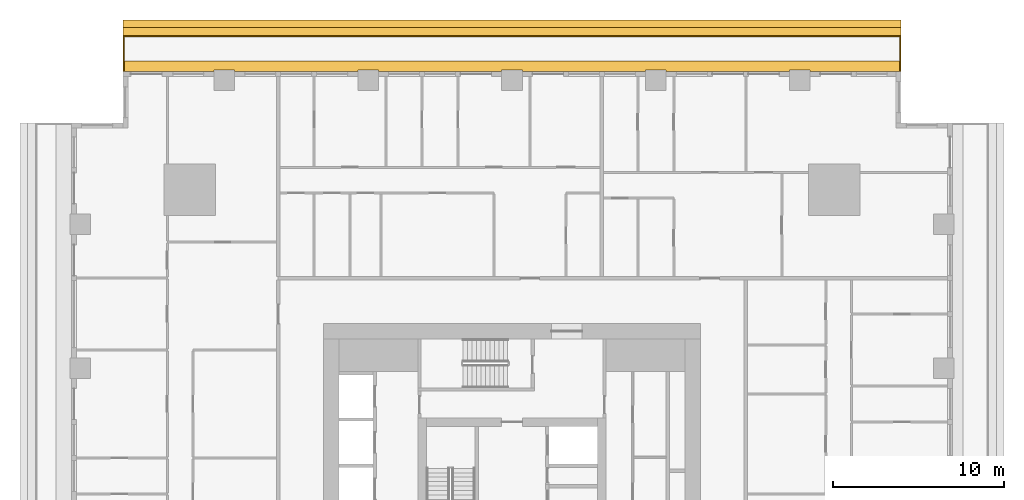
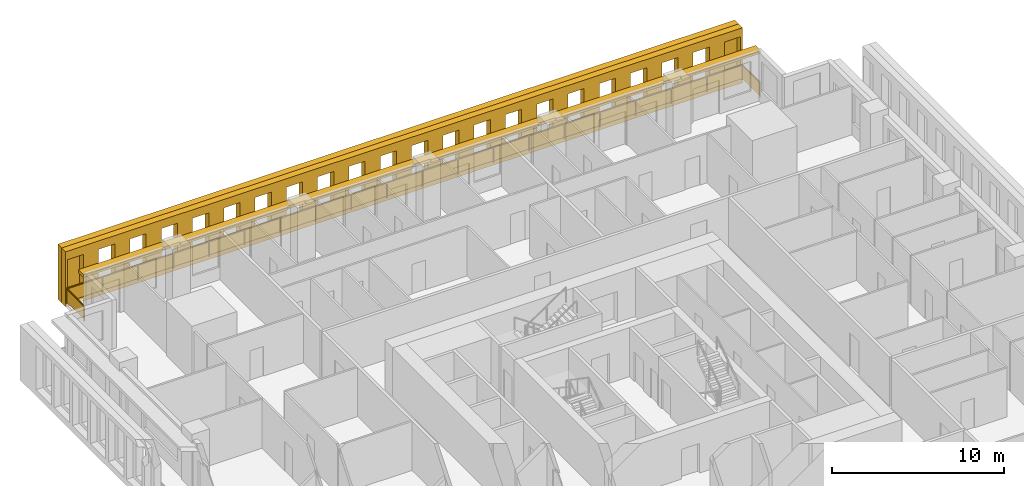
# One storey, part 15 of 15: 3 shading devices, 1 railing.
"""IFC4 building model written with IfcOpenShell, lengths in metres."""

import ifcopenshell
import ifcopenshell.guid

model = None  # the IFC model being written
_history = None  # IfcOwnerHistory: only IFC2X3 demands one
_inside = {}  # id of a spatial element -> (the spatial element, [elements in it])
_under = {}  # id of a project, library or spatial element -> (it, [spatial elements below it])
_declared = {}  # id of a project -> (the project, [libraries it declares])
_typed = {}  # id of a type object -> (the type object, [elements of that type])
_made_of = {}  # id of a material, layer set ... -> (it, [elements and type objects made of it])


def new_model(schema):
    """Start an empty IFC model of exactly this schema.

    Asked for "IFC4X3", IfcOpenShell would pick the latest addendum, in which some entities
    have other attributes; the version numbers below select the first issue.
    IFC2X3 requires an IfcOwnerHistory on every rooted entity: one is made here for all.
    """
    global model, _history
    if schema == "IFC4X3":
        model = ifcopenshell.file(schema_version=(4, 3, 0, 0))
    else:
        model = ifcopenshell.file(schema=schema)
    _inside.clear()
    _under.clear()
    _declared.clear()
    _typed.clear()
    _made_of.clear()
    _history = None
    if model.schema == "IFC2X3":
        org = make("IfcOrganization", Name="unknown")
        user = make(
            "IfcPersonAndOrganization",
            ThePerson=make("IfcPerson", FamilyName="unknown"),
            TheOrganization=org,
        )
        app = make(
            "IfcApplication",
            ApplicationDeveloper=org,
            Version="unknown",
            ApplicationFullName="unknown",
            ApplicationIdentifier="unknown",
        )
        _history = make(
            "IfcOwnerHistory",
            OwningUser=user,
            OwningApplication=app,
            ChangeAction="ADDED",
            CreationDate=0,
        )
    return model


def make(cls, **values):
    """One entity of the class cls with the attributes given. An attribute that is None is left unset."""
    return model.create_entity(
        cls, **{name: value for name, value in values.items() if value is not None}
    )


def rooted(cls, **values):
    """An entity with a GlobalId (a new one), such as an element, a storey or a relation."""
    return make(cls, GlobalId=ifcopenshell.guid.new(), OwnerHistory=_history, **values)


def si_unit(unit_type, name, prefix=None):
    """IfcSIUnit, for example si_unit("LENGTHUNIT", "METRE", prefix="MILLI")."""
    return make("IfcSIUnit", UnitType=unit_type, Prefix=prefix, Name=name)


def assignment(units):
    """IfcUnitAssignment: the units of a project."""
    return None if units is None else make("IfcUnitAssignment", Units=units)


def point(xyz):
    """IfcCartesianPoint."""
    return None if xyz is None else make("IfcCartesianPoint", Coordinates=xyz)


def direction(xyz):
    """IfcDirection."""
    return None if xyz is None else make("IfcDirection", DirectionRatios=xyz)


def frame(location, z_axis=None, x_axis=None):
    """IfcAxis2Placement3D, a coordinate frame: its origin and axes. An axis left out is left unset."""
    return make(
        "IfcAxis2Placement3D",
        Location=point(location),
        Axis=direction(z_axis),
        RefDirection=direction(x_axis),
    )


def frame_2d(location, x_axis=None):
    """IfcAxis2Placement2D, a coordinate frame in the plane: its origin and x axis."""
    return make(
        "IfcAxis2Placement2D", Location=point(location), RefDirection=direction(x_axis)
    )


def origin():
    """The frame at (0, 0, 0) with its axes left unset."""
    return frame((0.0, 0.0, 0.0))


def origin_2d():
    """The frame at (0, 0) in the plane with its x axis left unset."""
    return frame_2d((0.0, 0.0))


def place(relative_to, where):
    """IfcLocalPlacement: puts the frame where relative to a parent placement (None: the world)."""
    return make(
        "IfcLocalPlacement", PlacementRelTo=relative_to, RelativePlacement=where
    )


def context(
    kind, dimensions, precision=None, world=None, true_north=None, identifier=None
):
    """IfcGeometricRepresentationContext, for example the 3D "Model" context."""
    return make(
        "IfcGeometricRepresentationContext",
        ContextIdentifier=identifier,
        ContextType=kind,
        CoordinateSpaceDimension=dimensions,
        Precision=precision,
        WorldCoordinateSystem=world,
        TrueNorth=true_north,
    )


def subcontext(parent, identifier, kind, view, scale=None):
    """IfcGeometricRepresentationSubContext, for example "Body" below "Model"."""
    return make(
        "IfcGeometricRepresentationSubContext",
        ContextIdentifier=identifier,
        ContextType=kind,
        ParentContext=parent,
        TargetScale=scale,
        TargetView=view,
    )


def project(units=None, contexts=None):
    """IfcProject with its units and contexts."""
    return rooted(
        "IfcProject",
        Name="project",
        RepresentationContexts=contexts,
        UnitsInContext=assignment(units),
    )


def spatial(cls, under=None, at=None, **own):
    """A site, building, storey or space (cls), placed at a placement, below another one or the project."""
    s = rooted(cls, ObjectPlacement=at, **own)
    if under is not None:
        _under.setdefault(under.id(), (under, []))[1].append(s)
    return s


def polyline(points):
    """IfcPolyline through the points."""
    return make("IfcPolyline", Points=[point(p) for p in points])


def profile(cls, at=None, kind="AREA", **sizes):
    """A parametric profile (cls). Its sizes go by their IFC names, for example OverallWidth=200.0."""
    return make(cls, ProfileType=kind, Position=at, **sizes)


def rectangle(**sizes):
    """IfcRectangleProfileDef."""
    return profile("IfcRectangleProfileDef", **sizes)


def outline(outer, holes=None, kind="AREA"):
    """IfcArbitraryClosedProfileDef: a profile drawn as a closed curve; with holes, ...WithVoids."""
    if holes is None:
        return make("IfcArbitraryClosedProfileDef", ProfileType=kind, OuterCurve=outer)
    return make(
        "IfcArbitraryProfileDefWithVoids",
        ProfileType=kind,
        OuterCurve=outer,
        InnerCurves=holes,
    )


def extrude(swept, where, along, depth):
    """IfcExtrudedAreaSolid: the profile swept, set in the frame where, extruded along a direction by depth."""
    return make(
        "IfcExtrudedAreaSolid",
        SweptArea=swept,
        Position=where,
        ExtrudedDirection=direction(along),
        Depth=depth,
    )


def shape(context_of_items, identifier, shape_type, items):
    """IfcShapeRepresentation: the items that make up one representation, for example the "Body"."""
    return make(
        "IfcShapeRepresentation",
        ContextOfItems=context_of_items,
        RepresentationIdentifier=identifier,
        RepresentationType=shape_type,
        Items=items,
    )


def material(Name=None, Category=None):
    """IfcMaterial."""
    return make("IfcMaterial", Name=Name, Category=Category)


def layer(
    of_material, thickness, ventilated=None, Name=None, Category=None, Priority=None
):
    """IfcMaterialLayer: one layer of a wall or slab, of a material (None: an air gap)."""
    return make(
        "IfcMaterialLayer",
        Material=of_material,
        LayerThickness=thickness,
        IsVentilated=ventilated,
        Name=Name,
        Category=Category,
        Priority=Priority,
    )


def layer_set(layers, Name=None):
    """IfcMaterialLayerSet."""
    return make("IfcMaterialLayerSet", MaterialLayers=layers, LayerSetName=Name)


def made_of(thing, what):
    """Note that an element or type object is made of a material, layer set ...; save() writes the relation."""
    if what is not None:
        _made_of.setdefault(what.id(), (what, []))[1].append(thing)
    return thing


def type_object(cls, material=None, **own):
    """A type object (cls), such as IfcWallType, which elements share."""
    return made_of(rooted(cls, **own), material)


def element(
    cls,
    number,
    at=None,
    inside=None,
    cuts=None,
    type_object=None,
    material=None,
    context=None,
    identifier="Body",
    shape_type=None,
    held_by="IfcProductDefinitionShape",
    body=None,
    shapes=None,
    **own,
):
    """One element of the class cls, such as IfcWall. Its Tag is "e" and its number.

    at: its placement. inside: the storey or other place that contains it. cuts: it is an
    opening in that element (IfcRelVoidsElement). A single representation is given by context,
    identifier, shape_type and body (its items); several are given by shapes. held_by: the class
    of the entity that holds the representations. save() writes the other relations.
    """
    e = rooted(cls, Tag="e%d" % number, ObjectPlacement=at, **own)
    if body is not None:
        shapes = [shape(context, identifier, shape_type, body)]
    if shapes is not None:
        e.Representation = make(held_by, Representations=shapes)
    if inside is not None:
        _inside.setdefault(inside.id(), (inside, []))[1].append(e)
    if cuts is not None:
        rooted(
            "IfcRelVoidsElement", RelatingBuildingElement=cuts, RelatedOpeningElement=e
        )
    if type_object is not None:
        _typed.setdefault(type_object.id(), (type_object, []))[1].append(e)
    return made_of(e, material)


def aggregate(whole, parts):
    """IfcRelAggregates: a whole, such as a stair, and the parts it consists of."""
    return rooted("IfcRelAggregates", RelatingObject=whole, RelatedObjects=parts)


def save(model, path):
    """Write the relations noted so far, then the file.

    IfcRelAggregates (storeys below a building ...), IfcRelContainedInSpatialStructure (elements
    in a storey), IfcRelDefinesByType, IfcRelAssociatesMaterial and IfcRelDeclares: one each for
    every whole, place, type object, material and project.
    """
    for whole, parts in _under.values():
        aggregate(whole, parts)
    for where, things in _inside.values():
        rooted(
            "IfcRelContainedInSpatialStructure",
            RelatedElements=things,
            RelatingStructure=where,
        )
    for kind, things in _typed.values():
        rooted("IfcRelDefinesByType", RelatedObjects=things, RelatingType=kind)
    for what, things in _made_of.values():
        rooted("IfcRelAssociatesMaterial", RelatedObjects=things, RelatingMaterial=what)
    for by, libraries in _declared.values():
        rooted("IfcRelDeclares", RelatingContext=by, RelatedDefinitions=libraries)
    model.write(path)


model = new_model("IFC4")

# Units and contexts
model_context = context("Model", 3, precision=1e-05, world=origin(), true_north=direction((0.0, 1.0)))
body_context = subcontext(model_context, "Body", "Model", "MODEL_VIEW")
ifc_project = project(units=[si_unit("LENGTHUNIT", "METRE"), si_unit("AREAUNIT", "SQUARE_METRE"), si_unit("VOLUMEUNIT", "CUBIC_METRE"), si_unit("PLANEANGLEUNIT", "RADIAN"), si_unit("MASSUNIT", "GRAM", prefix="KILO")], contexts=[model_context])

# Site, building, storey
site_placement = place(None, origin())
site = spatial("IfcSite", under=ifc_project, at=site_placement, CompositionType="ELEMENT")
building_placement = place(site_placement, origin())
building = spatial("IfcBuilding", under=site, at=building_placement, Name="Khepri Terraces", CompositionType="ELEMENT")
storey_placement = place(building_placement, frame((0.0, 0.0, 34.800048828125)))
storey = spatial("IfcBuildingStorey", under=building, at=storey_placement, Name="L07", CompositionType="ELEMENT", Elevation=34.800048828125)

# Railing
ifc_material_1 = material(Name="Stainless steel grade 316", Category="steel")
railing_type = type_object("IfcRailingType", Name="GRD-BAL-1100", PredefinedType="GUARDRAIL", material=ifc_material_1)
railing_placement = place(storey_placement, frame((22.669921875, 25.719970703125, 0.0)))
element("IfcRailing", 1, at=railing_placement, inside=storey, type_object=railing_type, Name="Balcony guard L07 N", PredefinedType="GUARDRAIL", context=body_context, shape_type="SweptSolid", body=[
    extrude(rectangle(XDim=0.050048828125, YDim=0.06005859375, at=origin_2d()), frame((0.0, 0.0, 1.070068359375), z_axis=(0.0, 1.0, 0.0), x_axis=(-1.0, 0.0, 0.0)), (0.0, 0.0, 1.0), 2.050048828125),
    extrude(rectangle(XDim=2.0, YDim=0.011962890625, at=origin_2d()), frame((0.0, 1.02490234375, 0.10009765625), z_axis=(0.0, 0.0, 1.0), x_axis=(0.0, 1.0, 0.0)), (0.0, 0.0, 1.0), 0.93994140625),
    extrude(rectangle(XDim=0.050048828125, YDim=0.06005859375, at=origin_2d()), frame((0.0, 2.050048828125, 1.070068359375), z_axis=(-1.0, 0.0, 0.0), x_axis=(0.0, -1.0, 0.0)), (0.0, 0.0, 1.0), 45.33984375),
    extrude(rectangle(XDim=2.336181640625, YDim=0.011962890625, at=origin_2d()), frame((-1.193115234375, 2.050048828125, 0.10009765625), z_axis=(0.0, 0.0, 1.0), x_axis=(-1.0, 0.0, 0.0)), (0.0, 0.0, 1.0), 0.93994140625),
    extrude(rectangle(XDim=2.336181640625, YDim=0.011962890625, at=origin_2d()), frame((-3.579345703125, 2.050048828125, 0.10009765625), z_axis=(0.0, 0.0, 1.0), x_axis=(-1.0, 0.0, 0.0)), (0.0, 0.0, 1.0), 0.93994140625),
    extrude(rectangle(XDim=2.336181640625, YDim=0.011962890625, at=origin_2d()), frame((-5.9658203125, 2.050048828125, 0.10009765625), z_axis=(0.0, 0.0, 1.0), x_axis=(-1.0, 0.0, 0.0)), (0.0, 0.0, 1.0), 0.93994140625),
    extrude(rectangle(XDim=2.336181640625, YDim=0.011962890625, at=origin_2d()), frame((-8.35205078125, 2.050048828125, 0.10009765625), z_axis=(0.0, 0.0, 1.0), x_axis=(-1.0, 0.0, 0.0)), (0.0, 0.0, 1.0), 0.93994140625),
    extrude(rectangle(XDim=2.336181640625, YDim=0.011962890625, at=origin_2d()), frame((-10.73828125, 2.050048828125, 0.10009765625), z_axis=(0.0, 0.0, 1.0), x_axis=(-1.0, 0.0, 0.0)), (0.0, 0.0, 1.0), 0.93994140625),
    extrude(rectangle(XDim=2.336181640625, YDim=0.011962890625, at=origin_2d()), frame((-13.124755859375, 2.050048828125, 0.10009765625), z_axis=(0.0, 0.0, 1.0), x_axis=(-1.0, 0.0, 0.0)), (0.0, 0.0, 1.0), 0.93994140625),
    extrude(rectangle(XDim=2.336181640625, YDim=0.011962890625, at=origin_2d()), frame((-15.510986328125, 2.050048828125, 0.10009765625), z_axis=(0.0, 0.0, 1.0), x_axis=(-1.0, 0.0, 0.0)), (0.0, 0.0, 1.0), 0.93994140625),
    extrude(rectangle(XDim=2.336181640625, YDim=0.011962890625, at=origin_2d()), frame((-17.897216796875, 2.050048828125, 0.10009765625), z_axis=(0.0, 0.0, 1.0), x_axis=(-1.0, 0.0, 0.0)), (0.0, 0.0, 1.0), 0.93994140625),
    extrude(rectangle(XDim=2.336181640625, YDim=0.011962890625, at=origin_2d()), frame((-20.28369140625, 2.050048828125, 0.10009765625), z_axis=(0.0, 0.0, 1.0), x_axis=(-1.0, 0.0, 0.0)), (0.0, 0.0, 1.0), 0.93994140625),
    extrude(rectangle(XDim=2.336181640625, YDim=0.011962890625, at=origin_2d()), frame((-22.669921875, 2.050048828125, 0.10009765625), z_axis=(0.0, 0.0, 1.0), x_axis=(-1.0, 0.0, 0.0)), (0.0, 0.0, 1.0), 0.93994140625),
    extrude(rectangle(XDim=2.336181640625, YDim=0.011962890625, at=origin_2d()), frame((-25.05615234375, 2.050048828125, 0.10009765625), z_axis=(0.0, 0.0, 1.0), x_axis=(-1.0, 0.0, 0.0)), (0.0, 0.0, 1.0), 0.93994140625),
    extrude(rectangle(XDim=2.336181640625, YDim=0.011962890625, at=origin_2d()), frame((-27.442626953125, 2.050048828125, 0.10009765625), z_axis=(0.0, 0.0, 1.0), x_axis=(-1.0, 0.0, 0.0)), (0.0, 0.0, 1.0), 0.93994140625),
    extrude(rectangle(XDim=2.336181640625, YDim=0.011962890625, at=origin_2d()), frame((-29.828857421875, 2.050048828125, 0.10009765625), z_axis=(0.0, 0.0, 1.0), x_axis=(-1.0, 0.0, 0.0)), (0.0, 0.0, 1.0), 0.93994140625),
    extrude(rectangle(XDim=2.336181640625, YDim=0.011962890625, at=origin_2d()), frame((-32.215087890625, 2.050048828125, 0.10009765625), z_axis=(0.0, 0.0, 1.0), x_axis=(-1.0, 0.0, 0.0)), (0.0, 0.0, 1.0), 0.93994140625),
    extrude(rectangle(XDim=2.336181640625, YDim=0.011962890625, at=origin_2d()), frame((-34.6015625, 2.050048828125, 0.10009765625), z_axis=(0.0, 0.0, 1.0), x_axis=(-1.0, 0.0, 0.0)), (0.0, 0.0, 1.0), 0.93994140625),
    extrude(rectangle(XDim=2.336181640625, YDim=0.011962890625, at=origin_2d()), frame((-36.98779296875, 2.050048828125, 0.10009765625), z_axis=(0.0, 0.0, 1.0), x_axis=(-1.0, 0.0, 0.0)), (0.0, 0.0, 1.0), 0.93994140625),
    extrude(rectangle(XDim=2.336181640625, YDim=0.011962890625, at=origin_2d()), frame((-39.3740234375, 2.050048828125, 0.10009765625), z_axis=(0.0, 0.0, 1.0), x_axis=(-1.0, 0.0, 0.0)), (0.0, 0.0, 1.0), 0.93994140625),
    extrude(rectangle(XDim=2.336181640625, YDim=0.011962890625, at=origin_2d()), frame((-41.760498046875, 2.050048828125, 0.10009765625), z_axis=(0.0, 0.0, 1.0), x_axis=(-1.0, 0.0, 0.0)), (0.0, 0.0, 1.0), 0.93994140625),
    extrude(rectangle(XDim=2.336181640625, YDim=0.011962890625, at=origin_2d()), frame((-44.146728515625, 2.050048828125, 0.10009765625), z_axis=(0.0, 0.0, 1.0), x_axis=(-1.0, 0.0, 0.0)), (0.0, 0.0, 1.0), 0.93994140625),
    extrude(rectangle(XDim=0.050048828125, YDim=0.06005859375, at=origin_2d()), frame((-45.33984375, 2.050048828125, 1.070068359375), z_axis=(0.0, -1.0, 0.0), x_axis=(1.0, 0.0, 0.0)), (0.0, 0.0, 1.0), 2.050048828125),
    extrude(rectangle(XDim=2.0, YDim=0.011962890625, at=origin_2d()), frame((-45.33984375, 1.02490234375, 0.10009765625), z_axis=(0.0, 0.0, 1.0), x_axis=(0.0, -1.0, 0.0)), (0.0, 0.0, 1.0), 0.93994140625),
    extrude(rectangle(XDim=0.050048828125, YDim=0.050048828125, at=origin_2d()), origin(), (0.0, 0.0, 1.0), 1.0400390625),
    extrude(rectangle(XDim=0.050048828125, YDim=0.050048828125, at=origin_2d()), frame((0.0, 2.050048828125, 0.0)), (0.0, 0.0, 1.0), 1.0400390625),
    extrude(rectangle(XDim=0.050048828125, YDim=0.050048828125, at=origin_2d()), frame((-2.38623046875, 2.050048828125, 0.0)), (0.0, 0.0, 1.0), 1.0400390625),
    extrude(rectangle(XDim=0.050048828125, YDim=0.050048828125, at=origin_2d()), frame((-4.772705078125, 2.050048828125, 0.0)), (0.0, 0.0, 1.0), 1.0400390625),
    extrude(rectangle(XDim=0.050048828125, YDim=0.050048828125, at=origin_2d()), frame((-7.158935546875, 2.050048828125, 0.0)), (0.0, 0.0, 1.0), 1.0400390625),
    extrude(rectangle(XDim=0.050048828125, YDim=0.050048828125, at=origin_2d()), frame((-9.545166015625, 2.050048828125, 0.0)), (0.0, 0.0, 1.0), 1.0400390625),
    extrude(rectangle(XDim=0.050048828125, YDim=0.050048828125, at=origin_2d()), frame((-11.931640625, 2.050048828125, 0.0)), (0.0, 0.0, 1.0), 1.0400390625),
    extrude(rectangle(XDim=0.050048828125, YDim=0.050048828125, at=origin_2d()), frame((-14.31787109375, 2.050048828125, 0.0)), (0.0, 0.0, 1.0), 1.0400390625),
    extrude(rectangle(XDim=0.050048828125, YDim=0.050048828125, at=origin_2d()), frame((-16.7041015625, 2.050048828125, 0.0)), (0.0, 0.0, 1.0), 1.0400390625),
    extrude(rectangle(XDim=0.050048828125, YDim=0.050048828125, at=origin_2d()), frame((-19.090576171875, 2.050048828125, 0.0)), (0.0, 0.0, 1.0), 1.0400390625),
    extrude(rectangle(XDim=0.050048828125, YDim=0.050048828125, at=origin_2d()), frame((-21.476806640625, 2.050048828125, 0.0)), (0.0, 0.0, 1.0), 1.0400390625),
    extrude(rectangle(XDim=0.050048828125, YDim=0.050048828125, at=origin_2d()), frame((-23.863037109375, 2.050048828125, 0.0)), (0.0, 0.0, 1.0), 1.0400390625),
    extrude(rectangle(XDim=0.050048828125, YDim=0.050048828125, at=origin_2d()), frame((-26.249267578125, 2.050048828125, 0.0)), (0.0, 0.0, 1.0), 1.0400390625),
    extrude(rectangle(XDim=0.050048828125, YDim=0.050048828125, at=origin_2d()), frame((-28.6357421875, 2.050048828125, 0.0)), (0.0, 0.0, 1.0), 1.0400390625),
    extrude(rectangle(XDim=0.050048828125, YDim=0.050048828125, at=origin_2d()), frame((-31.02197265625, 2.050048828125, 0.0)), (0.0, 0.0, 1.0), 1.0400390625),
    extrude(rectangle(XDim=0.050048828125, YDim=0.050048828125, at=origin_2d()), frame((-33.408203125, 2.050048828125, 0.0)), (0.0, 0.0, 1.0), 1.0400390625),
    extrude(rectangle(XDim=0.050048828125, YDim=0.050048828125, at=origin_2d()), frame((-35.794677734375, 2.050048828125, 0.0)), (0.0, 0.0, 1.0), 1.0400390625),
    extrude(rectangle(XDim=0.050048828125, YDim=0.050048828125, at=origin_2d()), frame((-38.180908203125, 2.050048828125, 0.0)), (0.0, 0.0, 1.0), 1.0400390625),
    extrude(rectangle(XDim=0.050048828125, YDim=0.050048828125, at=origin_2d()), frame((-40.567138671875, 2.050048828125, 0.0)), (0.0, 0.0, 1.0), 1.0400390625),
    extrude(rectangle(XDim=0.050048828125, YDim=0.050048828125, at=origin_2d()), frame((-42.95361328125, 2.050048828125, 0.0)), (0.0, 0.0, 1.0), 1.0400390625),
    extrude(rectangle(XDim=0.050048828125, YDim=0.050048828125, at=origin_2d()), frame((-45.33984375, 2.050048828125, 0.0)), (0.0, 0.0, 1.0), 1.0400390625),
    extrude(rectangle(XDim=0.050048828125, YDim=0.050048828125, at=origin_2d()), frame((-45.33984375, 0.0, 0.0)), (0.0, 0.0, 1.0), 1.0400390625),
])

# Shading devices
ifc_material_2 = material(Name="Precast concrete C50/60 warm stone", Category="masonry")
shading_device_type_1 = type_object("IfcShadingDeviceType", Name="SCR-CELL-INNER-450", PredefinedType="USERDEFINED", material=ifc_material_2)
shading_device_1_placement = place(storey_placement, frame((22.719970703125, 27.820068359375, -0.25), z_axis=(0.0, 1.0, 0.0), x_axis=(-1.0, 0.0, 0.0)))
element("IfcShadingDevice", 2, at=shading_device_1_placement, inside=storey, type_object=shading_device_type_1, Name="Cell screen L07 N in", ObjectType="SCREEN", PredefinedType="USERDEFINED", context=body_context, shape_type="SweptSolid", body=[
    extrude(outline(polyline([(0.0, 0.0), (45.43994140625, 0.0), (45.43994140625, 3.89990234375), (0.0, 3.89990234375), (0.0, 0.0)]), holes=[polyline([(0.126708984375, 0.699951171875), (1.21337890625, 0.699951171875), (1.21337890625, 3.300048828125), (0.126708984375, 3.300048828125), (0.126708984375, 0.699951171875)]), polyline([(2.2265625, 0.699951171875), (3.3134765625, 0.699951171875), (3.3134765625, 3.300048828125), (2.2265625, 3.300048828125), (2.2265625, 0.699951171875)]), polyline([(4.32666015625, 0.699951171875), (5.413330078125, 0.699951171875), (5.413330078125, 3.300048828125), (4.32666015625, 3.300048828125), (4.32666015625, 0.699951171875)]), polyline([(6.426513671875, 0.699951171875), (7.513427734375, 0.699951171875), (7.513427734375, 3.300048828125), (6.426513671875, 3.300048828125), (6.426513671875, 0.699951171875)]), polyline([(8.526611328125, 0.699951171875), (9.61328125, 0.699951171875), (9.61328125, 3.300048828125), (8.526611328125, 3.300048828125), (8.526611328125, 0.699951171875)]), polyline([(10.626708984375, 0.699951171875), (11.71337890625, 0.699951171875), (11.71337890625, 3.300048828125), (10.626708984375, 3.300048828125), (10.626708984375, 0.699951171875)]), polyline([(12.7265625, 0.699951171875), (13.8134765625, 0.699951171875), (13.8134765625, 3.300048828125), (12.7265625, 3.300048828125), (12.7265625, 0.699951171875)]), polyline([(14.82666015625, 0.699951171875), (15.913330078125, 0.699951171875), (15.913330078125, 3.300048828125), (14.82666015625, 3.300048828125), (14.82666015625, 0.699951171875)]), polyline([(16.926513671875, 0.699951171875), (18.013427734375, 0.699951171875), (18.013427734375, 3.300048828125), (16.926513671875, 3.300048828125), (16.926513671875, 0.699951171875)]), polyline([(19.026611328125, 0.699951171875), (20.11328125, 0.699951171875), (20.11328125, 3.300048828125), (19.026611328125, 3.300048828125), (19.026611328125, 0.699951171875)]), polyline([(21.126708984375, 0.699951171875), (22.21337890625, 0.699951171875), (22.21337890625, 3.300048828125), (21.126708984375, 3.300048828125), (21.126708984375, 0.699951171875)]), polyline([(23.2265625, 0.699951171875), (24.3134765625, 0.699951171875), (24.3134765625, 3.300048828125), (23.2265625, 3.300048828125), (23.2265625, 0.699951171875)]), polyline([(25.32666015625, 0.699951171875), (26.413330078125, 0.699951171875), (26.413330078125, 3.300048828125), (25.32666015625, 3.300048828125), (25.32666015625, 0.699951171875)]), polyline([(27.426513671875, 0.699951171875), (28.513427734375, 0.699951171875), (28.513427734375, 3.300048828125), (27.426513671875, 3.300048828125), (27.426513671875, 0.699951171875)]), polyline([(29.526611328125, 0.699951171875), (30.61328125, 0.699951171875), (30.61328125, 3.300048828125), (29.526611328125, 3.300048828125), (29.526611328125, 0.699951171875)]), polyline([(31.626708984375, 0.699951171875), (32.71337890625, 0.699951171875), (32.71337890625, 3.300048828125), (31.626708984375, 3.300048828125), (31.626708984375, 0.699951171875)]), polyline([(33.7265625, 0.699951171875), (34.8134765625, 0.699951171875), (34.8134765625, 3.300048828125), (33.7265625, 3.300048828125), (33.7265625, 0.699951171875)]), polyline([(35.82666015625, 0.699951171875), (36.913330078125, 0.699951171875), (36.913330078125, 3.300048828125), (35.82666015625, 3.300048828125), (35.82666015625, 0.699951171875)]), polyline([(37.926513671875, 0.699951171875), (39.013427734375, 0.699951171875), (39.013427734375, 3.300048828125), (37.926513671875, 3.300048828125), (37.926513671875, 0.699951171875)]), polyline([(40.026611328125, 0.699951171875), (41.11328125, 0.699951171875), (41.11328125, 3.300048828125), (40.026611328125, 3.300048828125), (40.026611328125, 0.699951171875)]), polyline([(42.126708984375, 0.699951171875), (43.21337890625, 0.699951171875), (43.21337890625, 3.300048828125), (42.126708984375, 3.300048828125), (42.126708984375, 0.699951171875)]), polyline([(44.2265625, 0.699951171875), (45.3134765625, 0.699951171875), (45.3134765625, 3.300048828125), (44.2265625, 3.300048828125), (44.2265625, 0.699951171875)])]), origin(), (0.0, 0.0, 1.0), 0.449951171875),
])
shading_device_type_2 = type_object("IfcShadingDeviceType", Name="SCR-CELL-OUTER-450", PredefinedType="USERDEFINED", material=ifc_material_2)
shading_device_2_placement = place(storey_placement, frame((22.719970703125, 28.27001953125, -0.25), z_axis=(0.0, 1.0, 0.0), x_axis=(-1.0, 0.0, 0.0)))
element("IfcShadingDevice", 3, at=shading_device_2_placement, inside=storey, type_object=shading_device_type_2, Name="Cell screen L07 N out", ObjectType="SCREEN", PredefinedType="USERDEFINED", context=body_context, shape_type="SweptSolid", body=[
    extrude(outline(polyline([(0.0, 0.0), (45.43994140625, 0.0), (45.43994140625, 3.89990234375), (0.0, 3.89990234375), (0.0, 0.0)]), holes=[polyline([(1.876708984375, 0.449951171875), (3.663330078125, 0.449951171875), (3.663330078125, 3.550048828125), (1.876708984375, 3.550048828125), (1.876708984375, 0.449951171875)]), polyline([(3.9765625, 0.449951171875), (5.763427734375, 0.449951171875), (5.763427734375, 3.550048828125), (3.9765625, 3.550048828125), (3.9765625, 0.449951171875)]), polyline([(6.07666015625, 0.449951171875), (7.86328125, 0.449951171875), (7.86328125, 3.550048828125), (6.07666015625, 3.550048828125), (6.07666015625, 0.449951171875)]), polyline([(8.176513671875, 0.449951171875), (9.96337890625, 0.449951171875), (9.96337890625, 3.550048828125), (8.176513671875, 3.550048828125), (8.176513671875, 0.449951171875)]), polyline([(10.276611328125, 0.449951171875), (12.0634765625, 0.449951171875), (12.0634765625, 3.550048828125), (10.276611328125, 3.550048828125), (10.276611328125, 0.449951171875)]), polyline([(12.376708984375, 0.449951171875), (14.163330078125, 0.449951171875), (14.163330078125, 3.550048828125), (12.376708984375, 3.550048828125), (12.376708984375, 0.449951171875)]), polyline([(14.4765625, 0.449951171875), (16.263427734375, 0.449951171875), (16.263427734375, 3.550048828125), (14.4765625, 3.550048828125), (14.4765625, 0.449951171875)]), polyline([(16.57666015625, 0.449951171875), (18.36328125, 0.449951171875), (18.36328125, 3.550048828125), (16.57666015625, 3.550048828125), (16.57666015625, 0.449951171875)]), polyline([(18.676513671875, 0.449951171875), (20.46337890625, 0.449951171875), (20.46337890625, 3.550048828125), (18.676513671875, 3.550048828125), (18.676513671875, 0.449951171875)]), polyline([(20.776611328125, 0.449951171875), (22.5634765625, 0.449951171875), (22.5634765625, 3.550048828125), (20.776611328125, 3.550048828125), (20.776611328125, 0.449951171875)]), polyline([(22.876708984375, 0.449951171875), (24.663330078125, 0.449951171875), (24.663330078125, 3.550048828125), (22.876708984375, 3.550048828125), (22.876708984375, 0.449951171875)]), polyline([(24.9765625, 0.449951171875), (26.763427734375, 0.449951171875), (26.763427734375, 3.550048828125), (24.9765625, 3.550048828125), (24.9765625, 0.449951171875)]), polyline([(27.07666015625, 0.449951171875), (28.86328125, 0.449951171875), (28.86328125, 3.550048828125), (27.07666015625, 3.550048828125), (27.07666015625, 0.449951171875)]), polyline([(29.176513671875, 0.449951171875), (30.96337890625, 0.449951171875), (30.96337890625, 3.550048828125), (29.176513671875, 3.550048828125), (29.176513671875, 0.449951171875)]), polyline([(31.276611328125, 0.449951171875), (33.0634765625, 0.449951171875), (33.0634765625, 3.550048828125), (31.276611328125, 3.550048828125), (31.276611328125, 0.449951171875)]), polyline([(33.376708984375, 0.449951171875), (35.163330078125, 0.449951171875), (35.163330078125, 3.550048828125), (33.376708984375, 3.550048828125), (33.376708984375, 0.449951171875)]), polyline([(35.4765625, 0.449951171875), (37.263427734375, 0.449951171875), (37.263427734375, 3.550048828125), (35.4765625, 3.550048828125), (35.4765625, 0.449951171875)]), polyline([(37.57666015625, 0.449951171875), (39.36328125, 0.449951171875), (39.36328125, 3.550048828125), (37.57666015625, 3.550048828125), (37.57666015625, 0.449951171875)]), polyline([(39.676513671875, 0.449951171875), (41.46337890625, 0.449951171875), (41.46337890625, 3.550048828125), (39.676513671875, 3.550048828125), (39.676513671875, 0.449951171875)]), polyline([(41.776611328125, 0.449951171875), (43.5634765625, 0.449951171875), (43.5634765625, 3.550048828125), (41.776611328125, 3.550048828125), (41.776611328125, 0.449951171875)])]), origin(), (0.0, 0.0, 1.0), 0.449951171875),
])
ifc_layer = layer(ifc_material_2, 0.199951171875, Name="Precast concrete C50/60 warm stone", Category="masonry")
ifc_layer_set = layer_set([ifc_layer], Name="Precast concrete C50/60 warm stone")
shading_device_type_3 = type_object("IfcShadingDeviceType", Name="SSH-BAND-STONE-200-N", PredefinedType="USERDEFINED", material=ifc_layer_set)
shading_device_3_placement = place(storey_placement, frame((0.0, 0.0, 3.099853515625)))
element("IfcShadingDevice", 4, at=shading_device_3_placement, inside=storey, type_object=shading_device_type_3, Name="Sunshade band L07 N", ObjectType="SUNSHADE", PredefinedType="USERDEFINED", context=body_context, shape_type="SweptSolid", body=[
    extrude(outline(polyline([(17.39990234375, 25.719970703125), (22.719970703125, 25.719970703125), (22.719970703125, 26.320068359375), (-22.719970703125, 26.320068359375), (-22.719970703125, 25.719970703125), (-17.39990234375, 25.719970703125), (-17.39990234375, 25.800048828125), (-16.199951171875, 25.800048828125), (-16.199951171875, 25.719970703125), (-9.0, 25.719970703125), (-9.0, 25.800048828125), (-7.800048828125, 25.800048828125), (-7.800048828125, 25.719970703125), (-0.60009765625, 25.719970703125), (-0.60009765625, 25.800048828125), (0.60009765625, 25.800048828125), (0.60009765625, 25.719970703125), (7.800048828125, 25.719970703125), (7.800048828125, 25.800048828125), (9.0, 25.800048828125), (9.0, 25.719970703125), (16.199951171875, 25.719970703125), (16.199951171875, 25.800048828125), (17.39990234375, 25.800048828125), (17.39990234375, 25.719970703125)])), origin(), (0.0, 0.0, 1.0), 0.2001953125),
])

save(model, "model.ifc")
